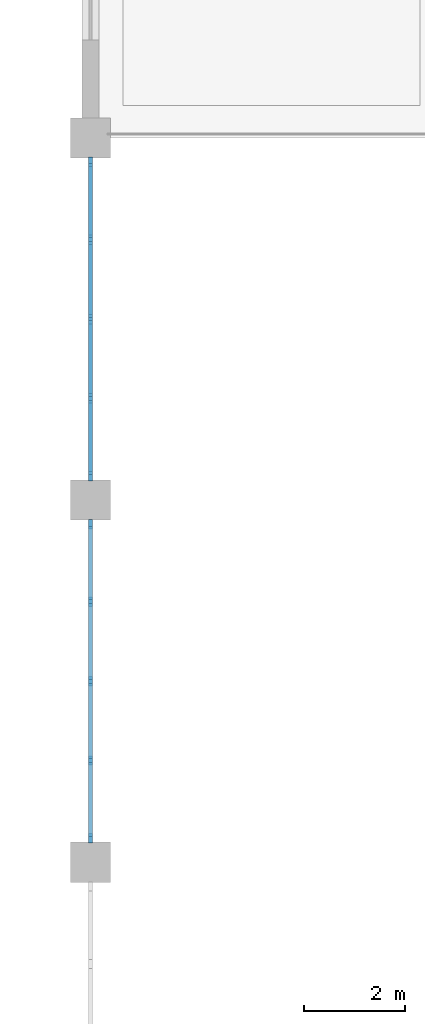
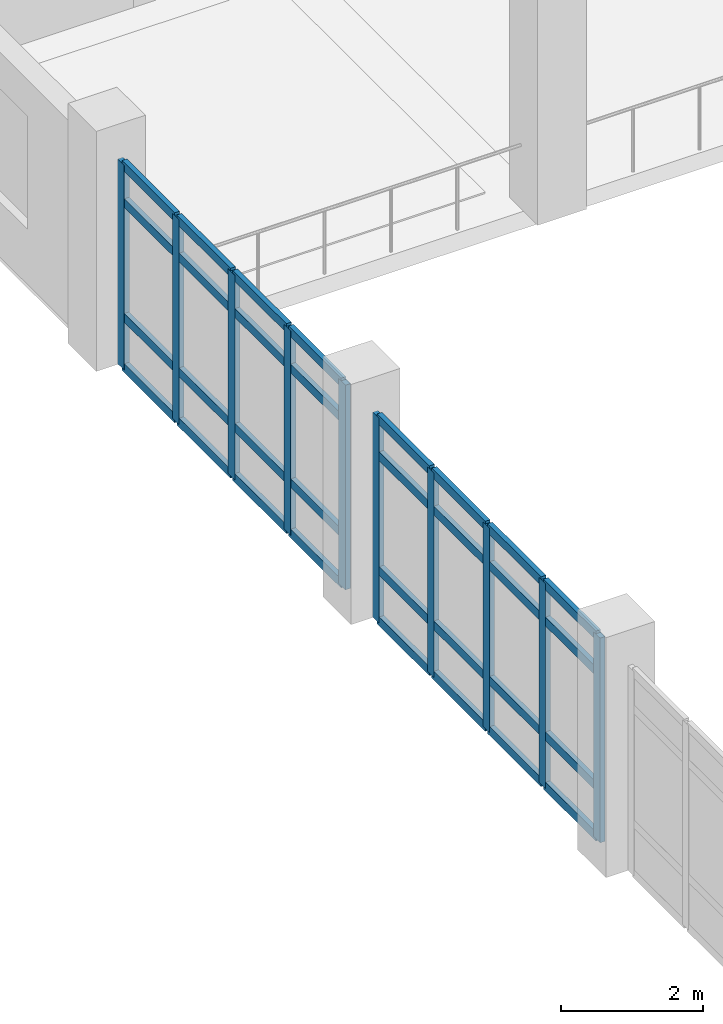
# One storey, part 6 of 62: 42 members, 2 elements without a shape of their own.
"""IFC4 building model written with IfcOpenShell, lengths in metres."""

from ifc_helpers import new_model, si_unit, direction, frame, origin, origin_2d, place, context, subcontext, project, spatial, rectangle, extrude, material, layer, layer_set, material_profile, profile_set, type_object, element, aggregate, save


model = new_model("IFC4")

# Units and contexts
model_context = context("Model", 3, precision=1e-05, world=origin(), true_north=direction((0.0, 1.0)))
body_context = subcontext(model_context, "Body", "Model", "MODEL_VIEW")
ifc_project = project(units=[si_unit("LENGTHUNIT", "METRE"), si_unit("AREAUNIT", "SQUARE_METRE"), si_unit("VOLUMEUNIT", "CUBIC_METRE"), si_unit("PLANEANGLEUNIT", "RADIAN"), si_unit("MASSUNIT", "GRAM", prefix="KILO")], contexts=[model_context])

# Site, building, storey
site_placement = place(None, origin())
site = spatial("IfcSite", under=ifc_project, at=site_placement, CompositionType="ELEMENT")
building_placement = place(site_placement, origin())
building = spatial("IfcBuilding", under=site, at=building_placement, Name="Kavelor Marine Aquarium", CompositionType="ELEMENT")
storey_placement = place(building_placement, frame((0.0, 0.0, 13.5)))
storey = spatial("IfcBuildingStorey", under=building, at=storey_placement, Name="L03", CompositionType="ELEMENT", Elevation=13.5)

# Curtain wall, members
ifc_material_1 = material(Name="Thermally Broken Aluminium and Low-E Glass", Category="aluminium")
ifc_layer_1 = layer(ifc_material_1, 0.251953125)
ifc_layer_set_1 = layer_set([ifc_layer_1], Name="CW-SYS14")
curtain_wall_type_1 = type_object("IfcCurtainWallType", Name="CW-SYS14", PredefinedType="USERDEFINED", material=ifc_layer_set_1)
curtain_wall_1_placement = place(storey_placement, origin())
curtain_wall_1 = element("IfcCurtainWall", 1, at=curtain_wall_1_placement, inside=storey, type_object=curtain_wall_type_1, Name="cw:y:L03:00_06", ObjectType="Curtain Wall", PredefinedType="USERDEFINED")
ifc_material_2 = material(Name="Anodised Aluminium Alloy 6063-T6", Category="aluminium")
ifc_material_profile_1 = material_profile(ifc_material_2, rectangle(XDim=0.080078125, YDim=0.18505859375, at=origin_2d()), Name="CW-MUL 80x185")
ifc_profile_set_1 = profile_set([ifc_material_profile_1], Name="Anodised Aluminium Alloy 6063-T6")
member_type_1 = type_object("IfcMemberType", Name="CWM-2", PredefinedType="MULLION", material=ifc_profile_set_1)
member_1_placement = place(storey_placement, frame((3.199951171875, 52.722412109375, 0.0), z_axis=(0.0, 0.0, 1.0), x_axis=(1.0, 0.0, 0.0)))
member_1 = element("IfcMember", 2, at=member_1_placement, type_object=member_type_1, Name="CW14 mullion 1", PredefinedType="MULLION", context=body_context, shape_type="SweptSolid", body=[
    extrude(rectangle(XDim=0.080078125, YDim=0.18505859375, at=origin_2d()), origin(), (0.0, 0.0, 1.0), 3.530029296875),
])
member_2_placement = place(storey_placement, frame((3.199951171875, 51.177490234375, 0.0), z_axis=(0.0, 0.0, 1.0), x_axis=(1.0, 0.0, 0.0)))
member_2 = element("IfcMember", 3, at=member_2_placement, type_object=member_type_1, Name="CW14 mullion 2", PredefinedType="MULLION", context=body_context, shape_type="SweptSolid", body=[
    extrude(rectangle(XDim=0.080078125, YDim=0.18505859375, at=origin_2d()), origin(), (0.0, 0.0, 1.0), 3.530029296875),
])
member_3_placement = place(storey_placement, frame((3.199951171875, 49.60009765625, 0.0), z_axis=(0.0, 0.0, 1.0), x_axis=(1.0, 0.0, 0.0)))
member_3 = element("IfcMember", 4, at=member_3_placement, type_object=member_type_1, Name="CW14 mullion 3", PredefinedType="MULLION", context=body_context, shape_type="SweptSolid", body=[
    extrude(rectangle(XDim=0.080078125, YDim=0.18505859375, at=origin_2d()), origin(), (0.0, 0.0, 1.0), 3.530029296875),
])
member_4_placement = place(storey_placement, frame((3.199951171875, 48.0224609375, 0.0), z_axis=(0.0, 0.0, 1.0), x_axis=(1.0, 0.0, 0.0)))
member_4 = element("IfcMember", 5, at=member_4_placement, type_object=member_type_1, Name="CW14 mullion 4", PredefinedType="MULLION", context=body_context, shape_type="SweptSolid", body=[
    extrude(rectangle(XDim=0.080078125, YDim=0.18505859375, at=origin_2d()), origin(), (0.0, 0.0, 1.0), 3.530029296875),
])
member_5_placement = place(storey_placement, frame((3.199951171875, 46.4775390625, 0.0), z_axis=(0.0, 0.0, 1.0), x_axis=(1.0, 0.0, 0.0)))
member_5 = element("IfcMember", 6, at=member_5_placement, type_object=member_type_1, Name="CW14 mullion 5", PredefinedType="MULLION", context=body_context, shape_type="SweptSolid", body=[
    extrude(rectangle(XDim=0.080078125, YDim=0.18505859375, at=origin_2d()), origin(), (0.0, 0.0, 1.0), 3.530029296875),
])

ifc_material_3 = material(Name="Thermally Broken Aluminium and Low-E Glass", Category="aluminium")
ifc_layer_2 = layer(ifc_material_3, 0.260009765625)
ifc_layer_set_2 = layer_set([ifc_layer_2], Name="CW-SYS15")
curtain_wall_type_2 = type_object("IfcCurtainWallType", Name="CW-SYS15", PredefinedType="USERDEFINED", material=ifc_layer_set_2)
curtain_wall_2_placement = place(storey_placement, origin())
curtain_wall_2 = element("IfcCurtainWall", 7, at=curtain_wall_2_placement, inside=storey, type_object=curtain_wall_type_2, Name="cw:y:L03:00_07", ObjectType="Curtain Wall", PredefinedType="USERDEFINED")
ifc_material_4 = material(Name="Anodised Aluminium Alloy 6063-T6", Category="aluminium")
ifc_material_profile_2 = material_profile(ifc_material_4, rectangle(XDim=0.0849609375, YDim=0.18994140625, at=origin_2d()), Name="CW-MUL 85x190")
ifc_profile_set_2 = profile_set([ifc_material_profile_2], Name="Anodised Aluminium Alloy 6063-T6")
member_type_2 = type_object("IfcMemberType", Name="CWM-3", PredefinedType="MULLION", material=ifc_profile_set_2)
member_6_placement = place(storey_placement, frame((3.199951171875, 59.925048828125, 0.0), z_axis=(0.0, 0.0, 1.0), x_axis=(1.0, 0.0, 0.0)))
member_6 = element("IfcMember", 8, at=member_6_placement, type_object=member_type_2, Name="CW15 mullion 1", PredefinedType="MULLION", context=body_context, shape_type="SweptSolid", body=[
    extrude(rectangle(XDim=0.0849609375, YDim=0.18994140625, at=origin_2d()), origin(), (0.0, 0.0, 1.0), 3.530029296875),
])
member_7_placement = place(storey_placement, frame((3.199951171875, 58.37744140625, 0.0), z_axis=(0.0, 0.0, 1.0), x_axis=(1.0, 0.0, 0.0)))
member_7 = element("IfcMember", 9, at=member_7_placement, type_object=member_type_2, Name="CW15 mullion 2", PredefinedType="MULLION", context=body_context, shape_type="SweptSolid", body=[
    extrude(rectangle(XDim=0.0849609375, YDim=0.18994140625, at=origin_2d()), origin(), (0.0, 0.0, 1.0), 3.530029296875),
])
member_8_placement = place(storey_placement, frame((3.199951171875, 56.800048828125, 0.0), z_axis=(0.0, 0.0, 1.0), x_axis=(1.0, 0.0, 0.0)))
member_8 = element("IfcMember", 10, at=member_8_placement, type_object=member_type_2, Name="CW15 mullion 3", PredefinedType="MULLION", context=body_context, shape_type="SweptSolid", body=[
    extrude(rectangle(XDim=0.0849609375, YDim=0.18994140625, at=origin_2d()), origin(), (0.0, 0.0, 1.0), 3.530029296875),
])
member_9_placement = place(storey_placement, frame((3.199951171875, 55.222412109375, 0.0), z_axis=(0.0, 0.0, 1.0), x_axis=(1.0, 0.0, 0.0)))
member_9 = element("IfcMember", 11, at=member_9_placement, type_object=member_type_2, Name="CW15 mullion 4", PredefinedType="MULLION", context=body_context, shape_type="SweptSolid", body=[
    extrude(rectangle(XDim=0.0849609375, YDim=0.18994140625, at=origin_2d()), origin(), (0.0, 0.0, 1.0), 3.530029296875),
])
member_10_placement = place(storey_placement, frame((3.199951171875, 53.675048828125, 0.0), z_axis=(0.0, 0.0, 1.0), x_axis=(1.0, 0.0, 0.0)))
member_10 = element("IfcMember", 12, at=member_10_placement, type_object=member_type_2, Name="CW15 mullion 5", PredefinedType="MULLION", context=body_context, shape_type="SweptSolid", body=[
    extrude(rectangle(XDim=0.0849609375, YDim=0.18994140625, at=origin_2d()), origin(), (0.0, 0.0, 1.0), 3.530029296875),
])

# Member
ifc_material_5 = material(Name="Anodised Aluminium Alloy 6063-T6", Category="aluminium")
ifc_material_profile_3 = material_profile(ifc_material_5, rectangle(XDim=0.080078125, YDim=0.155029296875, at=origin_2d()), Name="CW-TRN 80x155")
ifc_profile_set_3 = profile_set([ifc_material_profile_3], Name="Anodised Aluminium Alloy 6063-T6")
member_type_3 = type_object("IfcMemberType", Name="CWT-2", PredefinedType="USERDEFINED", material=ifc_profile_set_3)
member_11_placement = place(storey_placement, frame((3.199951171875, 52.68994140625, 0.032470703125), z_axis=(0.0, -1.0, 0.0), x_axis=(1.0, 0.0, 0.0)))
member_11 = element("IfcMember", 13, at=member_11_placement, type_object=member_type_3, Name="CW14 transom 1.1", ObjectType="TRANSOM", PredefinedType="USERDEFINED", context=body_context, shape_type="SweptSolid", body=[
    extrude(rectangle(XDim=0.080078125, YDim=0.155029296875, at=origin_2d()), origin(), (0.0, 0.0, 1.0), 1.47998046875),
])

member_12_placement = place(storey_placement, frame((3.199951171875, 52.68994140625, 0.89990234375), z_axis=(0.0, -1.0, 0.0), x_axis=(1.0, 0.0, 0.0)))
member_12 = element("IfcMember", 14, at=member_12_placement, type_object=member_type_3, Name="CW14 transom 1.2", ObjectType="TRANSOM", PredefinedType="USERDEFINED", context=body_context, shape_type="SweptSolid", body=[
    extrude(rectangle(XDim=0.080078125, YDim=0.155029296875, at=origin_2d()), origin(), (0.0, 0.0, 1.0), 1.47998046875),
])

member_13_placement = place(storey_placement, frame((3.199951171875, 52.68994140625, 2.8798828125), z_axis=(0.0, -1.0, 0.0), x_axis=(1.0, 0.0, 0.0)))
member_13 = element("IfcMember", 15, at=member_13_placement, type_object=member_type_3, Name="CW14 transom 1.3", ObjectType="TRANSOM", PredefinedType="USERDEFINED", context=body_context, shape_type="SweptSolid", body=[
    extrude(rectangle(XDim=0.080078125, YDim=0.155029296875, at=origin_2d()), origin(), (0.0, 0.0, 1.0), 1.47998046875),
])

member_14_placement = place(storey_placement, frame((3.199951171875, 52.68994140625, 3.49755859375), z_axis=(0.0, -1.0, 0.0), x_axis=(1.0, 0.0, 0.0)))
member_14 = element("IfcMember", 16, at=member_14_placement, type_object=member_type_3, Name="CW14 transom 1.4", ObjectType="TRANSOM", PredefinedType="USERDEFINED", context=body_context, shape_type="SweptSolid", body=[
    extrude(rectangle(XDim=0.080078125, YDim=0.155029296875, at=origin_2d()), origin(), (0.0, 0.0, 1.0), 1.47998046875),
])

member_15_placement = place(storey_placement, frame((3.199951171875, 51.14501953125, 0.032470703125), z_axis=(0.0, -1.0, 0.0), x_axis=(1.0, 0.0, 0.0)))
member_15 = element("IfcMember", 17, at=member_15_placement, type_object=member_type_3, Name="CW14 transom 2.1", ObjectType="TRANSOM", PredefinedType="USERDEFINED", context=body_context, shape_type="SweptSolid", body=[
    extrude(rectangle(XDim=0.080078125, YDim=0.155029296875, at=origin_2d()), origin(), (0.0, 0.0, 1.0), 1.512451171875),
])

member_16_placement = place(storey_placement, frame((3.199951171875, 51.14501953125, 0.89990234375), z_axis=(0.0, -1.0, 0.0), x_axis=(1.0, 0.0, 0.0)))
member_16 = element("IfcMember", 18, at=member_16_placement, type_object=member_type_3, Name="CW14 transom 2.2", ObjectType="TRANSOM", PredefinedType="USERDEFINED", context=body_context, shape_type="SweptSolid", body=[
    extrude(rectangle(XDim=0.080078125, YDim=0.155029296875, at=origin_2d()), origin(), (0.0, 0.0, 1.0), 1.512451171875),
])

member_17_placement = place(storey_placement, frame((3.199951171875, 51.14501953125, 2.8798828125), z_axis=(0.0, -1.0, 0.0), x_axis=(1.0, 0.0, 0.0)))
member_17 = element("IfcMember", 19, at=member_17_placement, type_object=member_type_3, Name="CW14 transom 2.3", ObjectType="TRANSOM", PredefinedType="USERDEFINED", context=body_context, shape_type="SweptSolid", body=[
    extrude(rectangle(XDim=0.080078125, YDim=0.155029296875, at=origin_2d()), origin(), (0.0, 0.0, 1.0), 1.512451171875),
])

member_18_placement = place(storey_placement, frame((3.199951171875, 51.14501953125, 3.49755859375), z_axis=(0.0, -1.0, 0.0), x_axis=(1.0, 0.0, 0.0)))
member_18 = element("IfcMember", 20, at=member_18_placement, type_object=member_type_3, Name="CW14 transom 2.4", ObjectType="TRANSOM", PredefinedType="USERDEFINED", context=body_context, shape_type="SweptSolid", body=[
    extrude(rectangle(XDim=0.080078125, YDim=0.155029296875, at=origin_2d()), origin(), (0.0, 0.0, 1.0), 1.512451171875),
])

member_19_placement = place(storey_placement, frame((3.199951171875, 49.5673828125, 0.032470703125), z_axis=(0.0, -1.0, 0.0), x_axis=(1.0, 0.0, 0.0)))
member_19 = element("IfcMember", 21, at=member_19_placement, type_object=member_type_3, Name="CW14 transom 3.1", ObjectType="TRANSOM", PredefinedType="USERDEFINED", context=body_context, shape_type="SweptSolid", body=[
    extrude(rectangle(XDim=0.080078125, YDim=0.155029296875, at=origin_2d()), origin(), (0.0, 0.0, 1.0), 1.512451171875),
])

member_20_placement = place(storey_placement, frame((3.199951171875, 49.5673828125, 0.89990234375), z_axis=(0.0, -1.0, 0.0), x_axis=(1.0, 0.0, 0.0)))
member_20 = element("IfcMember", 22, at=member_20_placement, type_object=member_type_3, Name="CW14 transom 3.2", ObjectType="TRANSOM", PredefinedType="USERDEFINED", context=body_context, shape_type="SweptSolid", body=[
    extrude(rectangle(XDim=0.080078125, YDim=0.155029296875, at=origin_2d()), origin(), (0.0, 0.0, 1.0), 1.512451171875),
])

member_21_placement = place(storey_placement, frame((3.199951171875, 49.5673828125, 2.8798828125), z_axis=(0.0, -1.0, 0.0), x_axis=(1.0, 0.0, 0.0)))
member_21 = element("IfcMember", 23, at=member_21_placement, type_object=member_type_3, Name="CW14 transom 3.3", ObjectType="TRANSOM", PredefinedType="USERDEFINED", context=body_context, shape_type="SweptSolid", body=[
    extrude(rectangle(XDim=0.080078125, YDim=0.155029296875, at=origin_2d()), origin(), (0.0, 0.0, 1.0), 1.512451171875),
])

member_22_placement = place(storey_placement, frame((3.199951171875, 49.5673828125, 3.49755859375), z_axis=(0.0, -1.0, 0.0), x_axis=(1.0, 0.0, 0.0)))
member_22 = element("IfcMember", 24, at=member_22_placement, type_object=member_type_3, Name="CW14 transom 3.4", ObjectType="TRANSOM", PredefinedType="USERDEFINED", context=body_context, shape_type="SweptSolid", body=[
    extrude(rectangle(XDim=0.080078125, YDim=0.155029296875, at=origin_2d()), origin(), (0.0, 0.0, 1.0), 1.512451171875),
])

member_23_placement = place(storey_placement, frame((3.199951171875, 47.989990234375, 0.032470703125), z_axis=(0.0, -1.0, 0.0), x_axis=(1.0, 0.0, 0.0)))
member_23 = element("IfcMember", 25, at=member_23_placement, type_object=member_type_3, Name="CW14 transom 4.1", ObjectType="TRANSOM", PredefinedType="USERDEFINED", context=body_context, shape_type="SweptSolid", body=[
    extrude(rectangle(XDim=0.080078125, YDim=0.155029296875, at=origin_2d()), origin(), (0.0, 0.0, 1.0), 1.47998046875),
])

member_24_placement = place(storey_placement, frame((3.199951171875, 47.989990234375, 0.89990234375), z_axis=(0.0, -1.0, 0.0), x_axis=(1.0, 0.0, 0.0)))
member_24 = element("IfcMember", 26, at=member_24_placement, type_object=member_type_3, Name="CW14 transom 4.2", ObjectType="TRANSOM", PredefinedType="USERDEFINED", context=body_context, shape_type="SweptSolid", body=[
    extrude(rectangle(XDim=0.080078125, YDim=0.155029296875, at=origin_2d()), origin(), (0.0, 0.0, 1.0), 1.47998046875),
])

member_25_placement = place(storey_placement, frame((3.199951171875, 47.989990234375, 2.8798828125), z_axis=(0.0, -1.0, 0.0), x_axis=(1.0, 0.0, 0.0)))
member_25 = element("IfcMember", 27, at=member_25_placement, type_object=member_type_3, Name="CW14 transom 4.3", ObjectType="TRANSOM", PredefinedType="USERDEFINED", context=body_context, shape_type="SweptSolid", body=[
    extrude(rectangle(XDim=0.080078125, YDim=0.155029296875, at=origin_2d()), origin(), (0.0, 0.0, 1.0), 1.47998046875),
])

member_26_placement = place(storey_placement, frame((3.199951171875, 47.989990234375, 3.49755859375), z_axis=(0.0, -1.0, 0.0), x_axis=(1.0, 0.0, 0.0)))
member_26 = element("IfcMember", 28, at=member_26_placement, type_object=member_type_3, Name="CW14 transom 4.4", ObjectType="TRANSOM", PredefinedType="USERDEFINED", context=body_context, shape_type="SweptSolid", body=[
    extrude(rectangle(XDim=0.080078125, YDim=0.155029296875, at=origin_2d()), origin(), (0.0, 0.0, 1.0), 1.47998046875),
])

aggregate(curtain_wall_1, [member_1, member_2, member_3, member_4, member_5, member_11, member_12, member_13, member_14, member_15, member_16, member_17, member_18, member_19, member_20, member_21, member_22, member_23, member_24, member_25, member_26])

member_27_placement = place(storey_placement, frame((3.199951171875, 59.89501953125, 0.032470703125), z_axis=(0.0, -1.0, 0.0), x_axis=(1.0, 0.0, 0.0)))
member_27 = element("IfcMember", 29, at=member_27_placement, type_object=member_type_3, Name="CW15 transom 1.1", ObjectType="TRANSOM", PredefinedType="USERDEFINED", context=body_context, shape_type="SweptSolid", body=[
    extrude(rectangle(XDim=0.080078125, YDim=0.155029296875, at=origin_2d()), origin(), (0.0, 0.0, 1.0), 1.487548828125),
])

member_28_placement = place(storey_placement, frame((3.199951171875, 59.89501953125, 0.89990234375), z_axis=(0.0, -1.0, 0.0), x_axis=(1.0, 0.0, 0.0)))
member_28 = element("IfcMember", 30, at=member_28_placement, type_object=member_type_3, Name="CW15 transom 1.2", ObjectType="TRANSOM", PredefinedType="USERDEFINED", context=body_context, shape_type="SweptSolid", body=[
    extrude(rectangle(XDim=0.080078125, YDim=0.155029296875, at=origin_2d()), origin(), (0.0, 0.0, 1.0), 1.487548828125),
])

member_29_placement = place(storey_placement, frame((3.199951171875, 59.89501953125, 2.8798828125), z_axis=(0.0, -1.0, 0.0), x_axis=(1.0, 0.0, 0.0)))
member_29 = element("IfcMember", 31, at=member_29_placement, type_object=member_type_3, Name="CW15 transom 1.3", ObjectType="TRANSOM", PredefinedType="USERDEFINED", context=body_context, shape_type="SweptSolid", body=[
    extrude(rectangle(XDim=0.080078125, YDim=0.155029296875, at=origin_2d()), origin(), (0.0, 0.0, 1.0), 1.487548828125),
])

member_30_placement = place(storey_placement, frame((3.199951171875, 59.89501953125, 3.49755859375), z_axis=(0.0, -1.0, 0.0), x_axis=(1.0, 0.0, 0.0)))
member_30 = element("IfcMember", 32, at=member_30_placement, type_object=member_type_3, Name="CW15 transom 1.4", ObjectType="TRANSOM", PredefinedType="USERDEFINED", context=body_context, shape_type="SweptSolid", body=[
    extrude(rectangle(XDim=0.080078125, YDim=0.155029296875, at=origin_2d()), origin(), (0.0, 0.0, 1.0), 1.487548828125),
])

member_31_placement = place(storey_placement, frame((3.199951171875, 58.347412109375, 0.032470703125), z_axis=(0.0, -1.0, 0.0), x_axis=(1.0, 0.0, 0.0)))
member_31 = element("IfcMember", 33, at=member_31_placement, type_object=member_type_3, Name="CW15 transom 2.1", ObjectType="TRANSOM", PredefinedType="USERDEFINED", context=body_context, shape_type="SweptSolid", body=[
    extrude(rectangle(XDim=0.080078125, YDim=0.155029296875, at=origin_2d()), origin(), (0.0, 0.0, 1.0), 1.517333984375),
])

member_32_placement = place(storey_placement, frame((3.199951171875, 58.347412109375, 0.89990234375), z_axis=(0.0, -1.0, 0.0), x_axis=(1.0, 0.0, 0.0)))
member_32 = element("IfcMember", 34, at=member_32_placement, type_object=member_type_3, Name="CW15 transom 2.2", ObjectType="TRANSOM", PredefinedType="USERDEFINED", context=body_context, shape_type="SweptSolid", body=[
    extrude(rectangle(XDim=0.080078125, YDim=0.155029296875, at=origin_2d()), origin(), (0.0, 0.0, 1.0), 1.517333984375),
])

member_33_placement = place(storey_placement, frame((3.199951171875, 58.347412109375, 2.8798828125), z_axis=(0.0, -1.0, 0.0), x_axis=(1.0, 0.0, 0.0)))
member_33 = element("IfcMember", 35, at=member_33_placement, type_object=member_type_3, Name="CW15 transom 2.3", ObjectType="TRANSOM", PredefinedType="USERDEFINED", context=body_context, shape_type="SweptSolid", body=[
    extrude(rectangle(XDim=0.080078125, YDim=0.155029296875, at=origin_2d()), origin(), (0.0, 0.0, 1.0), 1.517333984375),
])

member_34_placement = place(storey_placement, frame((3.199951171875, 58.347412109375, 3.49755859375), z_axis=(0.0, -1.0, 0.0), x_axis=(1.0, 0.0, 0.0)))
member_34 = element("IfcMember", 36, at=member_34_placement, type_object=member_type_3, Name="CW15 transom 2.4", ObjectType="TRANSOM", PredefinedType="USERDEFINED", context=body_context, shape_type="SweptSolid", body=[
    extrude(rectangle(XDim=0.080078125, YDim=0.155029296875, at=origin_2d()), origin(), (0.0, 0.0, 1.0), 1.517333984375),
])

member_35_placement = place(storey_placement, frame((3.199951171875, 56.77001953125, 0.032470703125), z_axis=(0.0, -1.0, 0.0), x_axis=(1.0, 0.0, 0.0)))
member_35 = element("IfcMember", 37, at=member_35_placement, type_object=member_type_3, Name="CW15 transom 3.1", ObjectType="TRANSOM", PredefinedType="USERDEFINED", context=body_context, shape_type="SweptSolid", body=[
    extrude(rectangle(XDim=0.080078125, YDim=0.155029296875, at=origin_2d()), origin(), (0.0, 0.0, 1.0), 1.517578125),
])

member_36_placement = place(storey_placement, frame((3.199951171875, 56.77001953125, 0.89990234375), z_axis=(0.0, -1.0, 0.0), x_axis=(1.0, 0.0, 0.0)))
member_36 = element("IfcMember", 38, at=member_36_placement, type_object=member_type_3, Name="CW15 transom 3.2", ObjectType="TRANSOM", PredefinedType="USERDEFINED", context=body_context, shape_type="SweptSolid", body=[
    extrude(rectangle(XDim=0.080078125, YDim=0.155029296875, at=origin_2d()), origin(), (0.0, 0.0, 1.0), 1.517578125),
])

member_37_placement = place(storey_placement, frame((3.199951171875, 56.77001953125, 2.8798828125), z_axis=(0.0, -1.0, 0.0), x_axis=(1.0, 0.0, 0.0)))
member_37 = element("IfcMember", 39, at=member_37_placement, type_object=member_type_3, Name="CW15 transom 3.3", ObjectType="TRANSOM", PredefinedType="USERDEFINED", context=body_context, shape_type="SweptSolid", body=[
    extrude(rectangle(XDim=0.080078125, YDim=0.155029296875, at=origin_2d()), origin(), (0.0, 0.0, 1.0), 1.517578125),
])

member_38_placement = place(storey_placement, frame((3.199951171875, 56.77001953125, 3.49755859375), z_axis=(0.0, -1.0, 0.0), x_axis=(1.0, 0.0, 0.0)))
member_38 = element("IfcMember", 40, at=member_38_placement, type_object=member_type_3, Name="CW15 transom 3.4", ObjectType="TRANSOM", PredefinedType="USERDEFINED", context=body_context, shape_type="SweptSolid", body=[
    extrude(rectangle(XDim=0.080078125, YDim=0.155029296875, at=origin_2d()), origin(), (0.0, 0.0, 1.0), 1.517578125),
])

member_39_placement = place(storey_placement, frame((3.199951171875, 55.1923828125, 0.032470703125), z_axis=(0.0, -1.0, 0.0), x_axis=(1.0, 0.0, 0.0)))
member_39 = element("IfcMember", 41, at=member_39_placement, type_object=member_type_3, Name="CW15 transom 4.1", ObjectType="TRANSOM", PredefinedType="USERDEFINED", context=body_context, shape_type="SweptSolid", body=[
    extrude(rectangle(XDim=0.080078125, YDim=0.155029296875, at=origin_2d()), origin(), (0.0, 0.0, 1.0), 1.4873046875),
])

member_40_placement = place(storey_placement, frame((3.199951171875, 55.1923828125, 0.89990234375), z_axis=(0.0, -1.0, 0.0), x_axis=(1.0, 0.0, 0.0)))
member_40 = element("IfcMember", 42, at=member_40_placement, type_object=member_type_3, Name="CW15 transom 4.2", ObjectType="TRANSOM", PredefinedType="USERDEFINED", context=body_context, shape_type="SweptSolid", body=[
    extrude(rectangle(XDim=0.080078125, YDim=0.155029296875, at=origin_2d()), origin(), (0.0, 0.0, 1.0), 1.4873046875),
])

member_41_placement = place(storey_placement, frame((3.199951171875, 55.1923828125, 2.8798828125), z_axis=(0.0, -1.0, 0.0), x_axis=(1.0, 0.0, 0.0)))
member_41 = element("IfcMember", 43, at=member_41_placement, type_object=member_type_3, Name="CW15 transom 4.3", ObjectType="TRANSOM", PredefinedType="USERDEFINED", context=body_context, shape_type="SweptSolid", body=[
    extrude(rectangle(XDim=0.080078125, YDim=0.155029296875, at=origin_2d()), origin(), (0.0, 0.0, 1.0), 1.4873046875),
])

member_42_placement = place(storey_placement, frame((3.199951171875, 55.1923828125, 3.49755859375), z_axis=(0.0, -1.0, 0.0), x_axis=(1.0, 0.0, 0.0)))
member_42 = element("IfcMember", 44, at=member_42_placement, type_object=member_type_3, Name="CW15 transom 4.4", ObjectType="TRANSOM", PredefinedType="USERDEFINED", context=body_context, shape_type="SweptSolid", body=[
    extrude(rectangle(XDim=0.080078125, YDim=0.155029296875, at=origin_2d()), origin(), (0.0, 0.0, 1.0), 1.4873046875),
])

aggregate(curtain_wall_2, [member_6, member_7, member_8, member_9, member_10, member_27, member_28, member_29, member_30, member_31, member_32, member_33, member_34, member_35, member_36, member_37, member_38, member_39, member_40, member_41, member_42])

save(model, "model.ifc")
